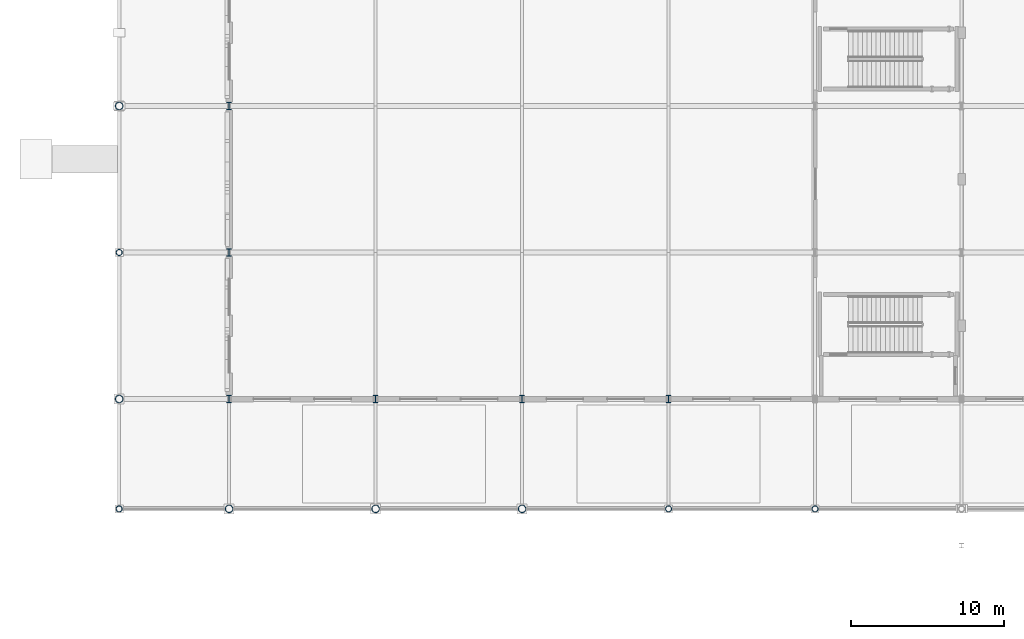
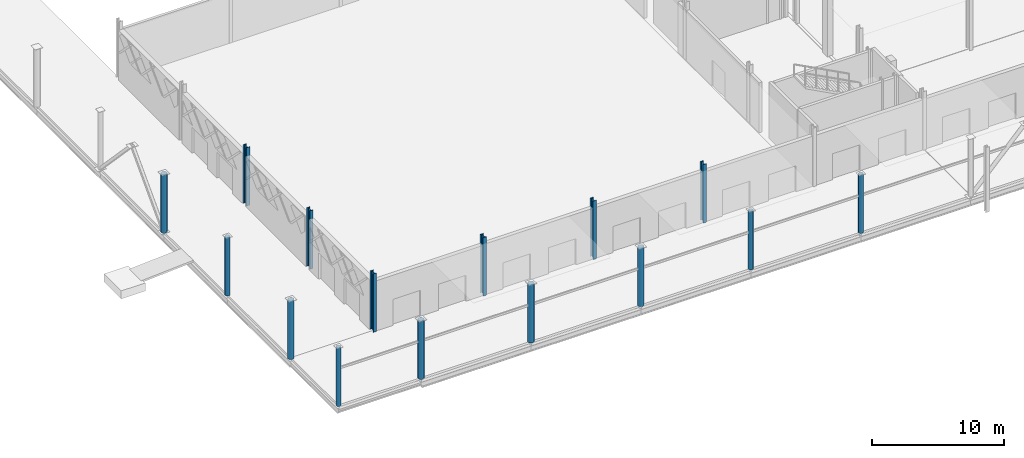
# One storey, part 1 of 84: 15 columns.
"""IFC4 building model written with IfcOpenShell, lengths in metres."""

from ifc_helpers import new_model, si_unit, direction, frame, origin, origin_2d, place, context, subcontext, project, spatial, hollow_circle, i_section, extrude, material, material_profile, profile_set, type_object, element, save


model = new_model("IFC4")

# Units and contexts
model_context = context("Model", 3, precision=1e-05, world=origin(), true_north=direction((0.0, 1.0)))
body_context = subcontext(model_context, "Body", "Model", "MODEL_VIEW")
ifc_project = project(units=[si_unit("LENGTHUNIT", "METRE"), si_unit("AREAUNIT", "SQUARE_METRE"), si_unit("VOLUMEUNIT", "CUBIC_METRE"), si_unit("PLANEANGLEUNIT", "RADIAN"), si_unit("MASSUNIT", "GRAM", prefix="KILO")], contexts=[model_context])

# Site, building, storey
site_placement = place(None, origin())
site = spatial("IfcSite", under=ifc_project, at=site_placement, CompositionType="ELEMENT")
building_placement = place(site_placement, origin())
building = spatial("IfcBuilding", under=site, at=building_placement, Name="Zevrakil Square Congress Hotel", CompositionType="ELEMENT")
storey_placement = place(building_placement, origin())
storey = spatial("IfcBuildingStorey", under=building, at=storey_placement, Name="L01", CompositionType="ELEMENT", Elevation=0.0)

# Columns
ifc_material_1 = material(Name="Steel S355", Category="steel")
ifc_material_profile_1 = material_profile(ifc_material_1, hollow_circle(Radius=0.203125, WallThickness=0.02001953125, at=origin_2d()), Name="CHS 406.4x20")
ifc_profile_set_1 = profile_set([ifc_material_profile_1], Name="Steel S355")
column_type_1 = type_object("IfcColumnType", Name="COL-CHS406", PredefinedType="COLUMN", material=ifc_profile_set_1)
for number, where, z_axis, x_axis, name in (
    (1, (0.0, 0.0, 0.0), (0.0, 0.0, 1.0), (1.0, 0.0, 0.0), "L01 column C-001"),
    (2, (0.0, 16.800048828125, 0.0), (0.0, 0.0, 1.0), (1.0, 0.0, 0.0), "L01 column C-003"),
    (3, (36.0, 0.0, 0.0), (0.0, 0.0, 1.0), (1.0, 0.0, 0.0), "L01 column C-053"),
    (4, (45.60009765625, 0.0, 0.0), (0.0, 0.0, 1.0), (1.0, 0.0, 0.0), "L01 column C-067"),
):
    element("IfcColumn", number, at=place(storey_placement, frame(where, z_axis=z_axis, x_axis=x_axis)), inside=storey, type_object=column_type_1, Name=name, PredefinedType="COLUMN", context=body_context, shape_type="SweptSolid", body=[
        extrude(hollow_circle(Radius=0.203125, WallThickness=0.02001953125, at=origin_2d()), origin(), (0.0, 0.0, 1.0), 5.39990234375),
    ])
ifc_material_2 = material(Name="Steel S355", Category="steel")
ifc_material_profile_2 = material_profile(ifc_material_2, hollow_circle(Radius=0.25390625, WallThickness=0.02001953125, at=origin_2d()), Name="CHS 508x20")
ifc_profile_set_2 = profile_set([ifc_material_profile_2], Name="Steel S355")
column_type_2 = type_object("IfcColumnType", Name="COL-CHS508", PredefinedType="COLUMN", material=ifc_profile_set_2)
for number, where, z_axis, x_axis, name in (
    (5, (0.0, 7.199951171875, 0.0), (0.0, 0.0, 1.0), (1.0, 0.0, 0.0), "L01 column C-002"),
    (6, (0.0, 26.39990234375, 0.0), (0.0, 0.0, 1.0), (1.0, 0.0, 0.0), "L01 column C-004"),
    (7, (7.199951171875, 0.0, 0.0), (0.0, 0.0, 1.0), (1.0, 0.0, 0.0), "L01 column C-014"),
    (8, (16.800048828125, 0.0, 0.0), (0.0, 0.0, 1.0), (1.0, 0.0, 0.0), "L01 column C-026"),
    (9, (26.39990234375, 0.0, 0.0), (0.0, 0.0, 1.0), (1.0, 0.0, 0.0), "L01 column C-040"),
):
    element("IfcColumn", number, at=place(storey_placement, frame(where, z_axis=z_axis, x_axis=x_axis)), inside=storey, type_object=column_type_2, Name=name, PredefinedType="COLUMN", context=body_context, shape_type="SweptSolid", body=[
        extrude(hollow_circle(Radius=0.25390625, WallThickness=0.02001953125, at=origin_2d()), origin(), (0.0, 0.0, 1.0), 5.39990234375),
    ])
ifc_material_3 = material(Name="Steel S355", Category="steel")
ifc_material_profile_3 = material_profile(ifc_material_3, i_section(OverallWidth=0.300048828125, OverallDepth=0.5, WebThickness=0.014404296875, FlangeThickness=0.028076171875, FilletRadius=0.027099609375, at=origin_2d()), Name="HEB 500")
ifc_profile_set_3 = profile_set([ifc_material_profile_3], Name="Steel S355")
column_type_3 = type_object("IfcColumnType", Name="COL-HEB500", PredefinedType="COLUMN", material=ifc_profile_set_3)
for number, where, z_axis, x_axis, name in (
    (10, (7.199951171875, 7.199951171875, 0.0), (0.0, 0.0, 1.0), (1.0, 0.0, 0.0), "L01 column C-015"),
    (11, (7.199951171875, 16.800048828125, 0.0), (0.0, 0.0, 1.0), (1.0, 0.0, 0.0), "L01 column C-016"),
    (12, (7.199951171875, 26.39990234375, 0.0), (0.0, 0.0, 1.0), (1.0, 0.0, 0.0), "L01 column C-017"),
    (13, (16.800048828125, 7.199951171875, 0.0), (0.0, 0.0, 1.0), (1.0, 0.0, 0.0), "L01 column C-027"),
    (14, (26.39990234375, 7.199951171875, 0.0), (0.0, 0.0, 1.0), (1.0, 0.0, 0.0), "L01 column C-041"),
    (15, (36.0, 7.199951171875, 0.0), (0.0, 0.0, 1.0), (1.0, 0.0, 0.0), "L01 column C-054"),
):
    element("IfcColumn", number, at=place(storey_placement, frame(where, z_axis=z_axis, x_axis=x_axis)), inside=storey, type_object=column_type_3, Name=name, PredefinedType="COLUMN", context=body_context, shape_type="SweptSolid", body=[
        extrude(i_section(OverallWidth=0.300048828125, OverallDepth=0.5, WebThickness=0.014404296875, FlangeThickness=0.028076171875, FilletRadius=0.027099609375, at=origin_2d()), origin(), (0.0, 0.0, 1.0), 5.39990234375),
    ])

save(model, "model.ifc")
